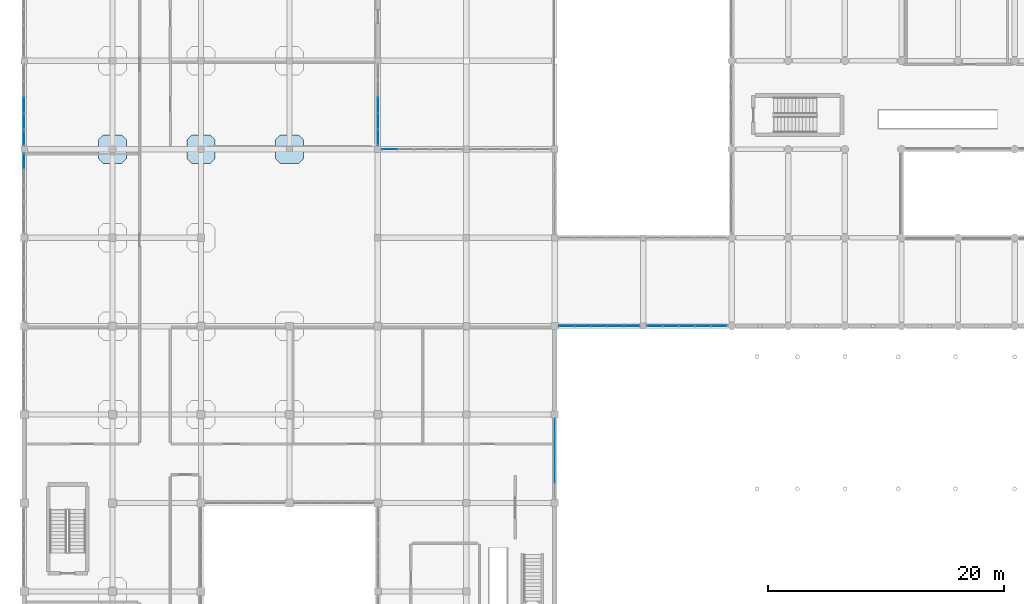
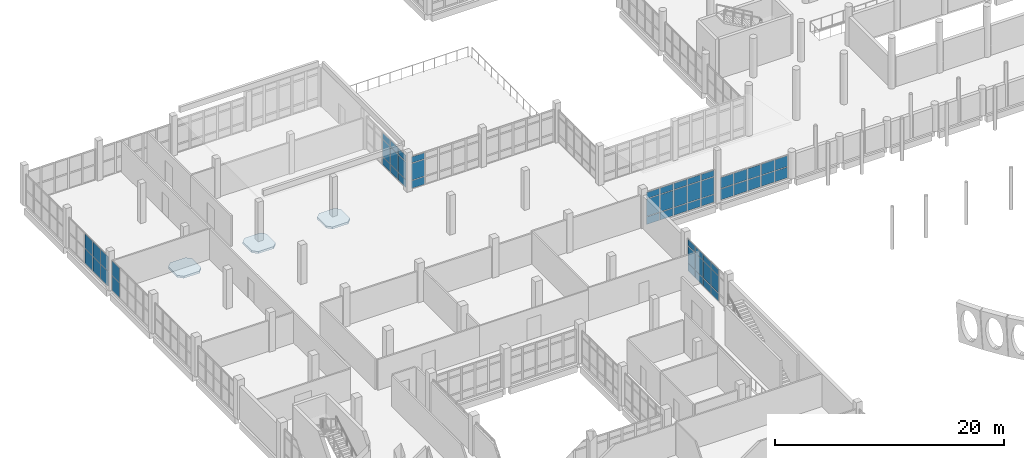
# One storey, part 124 of 164: 57 plates, 3 slabs, 7 elements without a shape of their own.
"""IFC4 building model written with IfcOpenShell, lengths in metres."""

from ifc_helpers import new_model, si_unit, direction, frame, origin, origin_2d, place, context, subcontext, project, spatial, polyline, rectangle, outline, extrude, material, layer, layer_set, type_object, element, aggregate, save


model = new_model("IFC4")

# Units and contexts
model_context = context("Model", 3, precision=1e-05, world=origin(), true_north=direction((0.0, 1.0)))
body_context = subcontext(model_context, "Body", "Model", "MODEL_VIEW")
ifc_project = project(units=[si_unit("LENGTHUNIT", "METRE"), si_unit("AREAUNIT", "SQUARE_METRE"), si_unit("VOLUMEUNIT", "CUBIC_METRE"), si_unit("PLANEANGLEUNIT", "RADIAN"), si_unit("MASSUNIT", "GRAM", prefix="KILO")], contexts=[model_context])

# Site, building, storey
site_placement = place(None, origin())
site = spatial("IfcSite", under=ifc_project, at=site_placement, CompositionType="ELEMENT")
building_placement = place(site_placement, origin())
building = spatial("IfcBuilding", under=site, at=building_placement, Name="Mawjan Specialist Oncology Clinic", CompositionType="ELEMENT")
storey_placement = place(building_placement, frame((0.0, 0.0, 5.0)))
storey = spatial("IfcBuildingStorey", under=building, at=storey_placement, Name="L01", CompositionType="ELEMENT", Elevation=5.0)

# Curtain wall, plates
ifc_material_1 = material(Name="Unitised spectrally selective aluminium curtain wall", Category="aluminium")
ifc_layer_1 = layer(ifc_material_1, 0.179931640625, Name="Unitised spectrally selective aluminium curtain wall", Category="aluminium")
ifc_layer_set_1 = layer_set([ifc_layer_1], Name="Unitised spectrally selective aluminium curtain wall")
curtain_wall_type_1 = type_object("IfcCurtainWallType", Name="CW-70", PredefinedType="NOTDEFINED", material=ifc_layer_set_1)
curtain_wall_1_placement = place(storey_placement, origin())
curtain_wall_1 = element("IfcCurtainWall", 1, at=curtain_wall_1_placement, inside=storey, type_object=curtain_wall_type_1, Name="L01 Unitised Curtain Wall CW-L01-138", PredefinedType="NOTDEFINED")
ifc_material_2 = material(Name="Spectrally selective double low-E glazing", Category="glass")
ifc_layer_2 = layer(ifc_material_2, 0.031982421875, Name="Spectrally selective double low-E glazing", Category="glass")
ifc_layer_set_2 = layer_set([ifc_layer_2], Name="Spectrally selective double low-E glazing")
plate_type = type_object("IfcPlateType", Name="CW-P32", PredefinedType="CURTAIN_PANEL", material=ifc_layer_set_2)
plate_1_placement = place(storey_placement, frame((58.9501953125, 45.800048828125, 0.06494140625), z_axis=(0.0, 0.0, 1.0), x_axis=(-1.0, 0.0, 0.0)))
plate_1 = element("IfcPlate", 2, at=plate_1_placement, type_object=plate_type, Name="CW-70 panel 1.1", PredefinedType="CURTAIN_PANEL", context=body_context, shape_type="SweptSolid", body=[
    extrude(rectangle(XDim=1.279541015625, YDim=0.031982421875, at=origin_2d()), origin(), (0.0, 0.0, 1.0), 1.152587890625),
])
plate_2_placement = place(storey_placement, frame((58.9501953125, 45.800048828125, 1.2822265625), z_axis=(0.0, 0.0, 1.0), x_axis=(-1.0, 0.0, 0.0)))
plate_2 = element("IfcPlate", 3, at=plate_2_placement, type_object=plate_type, Name="CW-70 panel 1.2", PredefinedType="CURTAIN_PANEL", context=body_context, shape_type="SweptSolid", body=[
    extrude(rectangle(XDim=1.279541015625, YDim=0.031982421875, at=origin_2d()), origin(), (0.0, 0.0, 1.0), 1.152587890625),
])
plate_3_placement = place(storey_placement, frame((57.589599609375, 45.800048828125, 0.06494140625), z_axis=(0.0, 0.0, 1.0), x_axis=(-1.0, 0.0, 0.0)))
plate_3 = element("IfcPlate", 4, at=plate_3_placement, type_object=plate_type, Name="CW-70 panel 2.1", PredefinedType="CURTAIN_PANEL", context=body_context, shape_type="SweptSolid", body=[
    extrude(rectangle(XDim=1.31201171875, YDim=0.031982421875, at=origin_2d()), origin(), (0.0, 0.0, 1.0), 1.152587890625),
])
plate_4_placement = place(storey_placement, frame((57.589599609375, 45.800048828125, 1.2822265625), z_axis=(0.0, 0.0, 1.0), x_axis=(-1.0, 0.0, 0.0)))
plate_4 = element("IfcPlate", 5, at=plate_4_placement, type_object=plate_type, Name="CW-70 panel 2.2", PredefinedType="CURTAIN_PANEL", context=body_context, shape_type="SweptSolid", body=[
    extrude(rectangle(XDim=1.31201171875, YDim=0.031982421875, at=origin_2d()), origin(), (0.0, 0.0, 1.0), 1.152587890625),
])
plate_5_placement = place(storey_placement, frame((56.21240234375, 45.800048828125, 0.06494140625), z_axis=(0.0, 0.0, 1.0), x_axis=(-1.0, 0.0, 0.0)))
plate_5 = element("IfcPlate", 6, at=plate_5_placement, type_object=plate_type, Name="CW-70 panel 3.1", PredefinedType="CURTAIN_PANEL", context=body_context, shape_type="SweptSolid", body=[
    extrude(rectangle(XDim=1.31201171875, YDim=0.031982421875, at=origin_2d()), origin(), (0.0, 0.0, 1.0), 1.152587890625),
])
plate_6_placement = place(storey_placement, frame((56.21240234375, 45.800048828125, 1.2822265625), z_axis=(0.0, 0.0, 1.0), x_axis=(-1.0, 0.0, 0.0)))
plate_6 = element("IfcPlate", 7, at=plate_6_placement, type_object=plate_type, Name="CW-70 panel 3.2", PredefinedType="CURTAIN_PANEL", context=body_context, shape_type="SweptSolid", body=[
    extrude(rectangle(XDim=1.31201171875, YDim=0.031982421875, at=origin_2d()), origin(), (0.0, 0.0, 1.0), 1.152587890625),
])
plate_7_placement = place(storey_placement, frame((54.83544921875, 45.800048828125, 0.06494140625), z_axis=(0.0, 0.0, 1.0), x_axis=(-1.0, 0.0, 0.0)))
plate_7 = element("IfcPlate", 8, at=plate_7_placement, type_object=plate_type, Name="CW-70 panel 4.1", PredefinedType="CURTAIN_PANEL", context=body_context, shape_type="SweptSolid", body=[
    extrude(rectangle(XDim=1.31201171875, YDim=0.031982421875, at=origin_2d()), origin(), (0.0, 0.0, 1.0), 1.152587890625),
])
plate_8_placement = place(storey_placement, frame((54.83544921875, 45.800048828125, 1.2822265625), z_axis=(0.0, 0.0, 1.0), x_axis=(-1.0, 0.0, 0.0)))
plate_8 = element("IfcPlate", 9, at=plate_8_placement, type_object=plate_type, Name="CW-70 panel 4.2", PredefinedType="CURTAIN_PANEL", context=body_context, shape_type="SweptSolid", body=[
    extrude(rectangle(XDim=1.31201171875, YDim=0.031982421875, at=origin_2d()), origin(), (0.0, 0.0, 1.0), 1.152587890625),
])
plate_9_placement = place(storey_placement, frame((53.474853515625, 45.800048828125, 0.06494140625), z_axis=(0.0, 0.0, 1.0), x_axis=(-1.0, 0.0, 0.0)))
plate_9 = element("IfcPlate", 10, at=plate_9_placement, type_object=plate_type, Name="CW-70 panel 5.1", PredefinedType="CURTAIN_PANEL", context=body_context, shape_type="SweptSolid", body=[
    extrude(rectangle(XDim=1.279541015625, YDim=0.031982421875, at=origin_2d()), origin(), (0.0, 0.0, 1.0), 1.152587890625),
])
plate_10_placement = place(storey_placement, frame((53.474853515625, 45.800048828125, 1.2822265625), z_axis=(0.0, 0.0, 1.0), x_axis=(-1.0, 0.0, 0.0)))
plate_10 = element("IfcPlate", 11, at=plate_10_placement, type_object=plate_type, Name="CW-70 panel 5.2", PredefinedType="CURTAIN_PANEL", context=body_context, shape_type="SweptSolid", body=[
    extrude(rectangle(XDim=1.279541015625, YDim=0.031982421875, at=origin_2d()), origin(), (0.0, 0.0, 1.0), 1.152587890625),
])
aggregate(curtain_wall_1, [plate_1, plate_2, plate_3, plate_4, plate_5, plate_6, plate_7, plate_8, plate_9, plate_10])

ifc_material_3 = material(Name="Unitised spectrally selective aluminium curtain wall", Category="aluminium")
ifc_layer_3 = layer(ifc_material_3, 0.179931640625, Name="Unitised spectrally selective aluminium curtain wall", Category="aluminium")
ifc_layer_set_3 = layer_set([ifc_layer_3], Name="Unitised spectrally selective aluminium curtain wall")
curtain_wall_type_2 = type_object("IfcCurtainWallType", Name="CW-71", PredefinedType="NOTDEFINED", material=ifc_layer_set_3)
curtain_wall_2_placement = place(storey_placement, origin())
curtain_wall_2 = element("IfcCurtainWall", 12, at=curtain_wall_2_placement, inside=storey, type_object=curtain_wall_type_2, Name="L01 Unitised Curtain Wall CW-L01-139", PredefinedType="NOTDEFINED")
plate_11_placement = place(storey_placement, frame((51.522705078125, 45.800048828125, 0.06494140625), z_axis=(0.0, 0.0, 1.0), x_axis=(-1.0, 0.0, 0.0)))
plate_11 = element("IfcPlate", 13, at=plate_11_placement, type_object=plate_type, Name="CW-71 panel 1.1", PredefinedType="CURTAIN_PANEL", context=body_context, shape_type="SweptSolid", body=[
    extrude(rectangle(XDim=1.284423828125, YDim=0.031982421875, at=origin_2d()), origin(), (0.0, 0.0, 1.0), 0.802490234375),
])
plate_12_placement = place(storey_placement, frame((51.522705078125, 45.800048828125, 0.9326171875), z_axis=(0.0, 0.0, 1.0), x_axis=(-1.0, 0.0, 0.0)))
plate_12 = element("IfcPlate", 14, at=plate_12_placement, type_object=plate_type, Name="CW-71 panel 1.2", PredefinedType="CURTAIN_PANEL", context=body_context, shape_type="SweptSolid", body=[
    extrude(rectangle(XDim=1.284423828125, YDim=0.031982421875, at=origin_2d()), origin(), (0.0, 0.0, 1.0), 1.820068359375),
])
plate_13_placement = place(storey_placement, frame((51.522705078125, 45.800048828125, 2.8173828125), z_axis=(0.0, 0.0, 1.0), x_axis=(-1.0, 0.0, 0.0)))
plate_13 = element("IfcPlate", 15, at=plate_13_placement, type_object=plate_type, Name="CW-71 panel 1.3", PredefinedType="CURTAIN_PANEL", context=body_context, shape_type="SweptSolid", body=[
    extrude(rectangle(XDim=1.284423828125, YDim=0.031982421875, at=origin_2d()), origin(), (0.0, 0.0, 1.0), 0.652587890625),
])
plate_14_placement = place(storey_placement, frame((50.156982421875, 45.800048828125, 0.06494140625), z_axis=(0.0, 0.0, 1.0), x_axis=(-1.0, 0.0, 0.0)))
plate_14 = element("IfcPlate", 16, at=plate_14_placement, type_object=plate_type, Name="CW-71 panel 2.1", PredefinedType="CURTAIN_PANEL", context=body_context, shape_type="SweptSolid", body=[
    extrude(rectangle(XDim=1.31689453125, YDim=0.031982421875, at=origin_2d()), origin(), (0.0, 0.0, 1.0), 0.802490234375),
])
plate_15_placement = place(storey_placement, frame((50.156982421875, 45.800048828125, 0.9326171875), z_axis=(0.0, 0.0, 1.0), x_axis=(-1.0, 0.0, 0.0)))
plate_15 = element("IfcPlate", 17, at=plate_15_placement, type_object=plate_type, Name="CW-71 panel 2.2", PredefinedType="CURTAIN_PANEL", context=body_context, shape_type="SweptSolid", body=[
    extrude(rectangle(XDim=1.31689453125, YDim=0.031982421875, at=origin_2d()), origin(), (0.0, 0.0, 1.0), 1.820068359375),
])
plate_16_placement = place(storey_placement, frame((50.156982421875, 45.800048828125, 2.8173828125), z_axis=(0.0, 0.0, 1.0), x_axis=(-1.0, 0.0, 0.0)))
plate_16 = element("IfcPlate", 18, at=plate_16_placement, type_object=plate_type, Name="CW-71 panel 2.3", PredefinedType="CURTAIN_PANEL", context=body_context, shape_type="SweptSolid", body=[
    extrude(rectangle(XDim=1.31689453125, YDim=0.031982421875, at=origin_2d()), origin(), (0.0, 0.0, 1.0), 0.652587890625),
])
plate_17_placement = place(storey_placement, frame((48.77490234375, 45.800048828125, 0.06494140625), z_axis=(0.0, 0.0, 1.0), x_axis=(-1.0, 0.0, 0.0)))
plate_17 = element("IfcPlate", 19, at=plate_17_placement, type_object=plate_type, Name="CW-71 panel 3.1", PredefinedType="CURTAIN_PANEL", context=body_context, shape_type="SweptSolid", body=[
    extrude(rectangle(XDim=1.31689453125, YDim=0.031982421875, at=origin_2d()), origin(), (0.0, 0.0, 1.0), 0.802490234375),
])
plate_18_placement = place(storey_placement, frame((48.77490234375, 45.800048828125, 0.9326171875), z_axis=(0.0, 0.0, 1.0), x_axis=(-1.0, 0.0, 0.0)))
plate_18 = element("IfcPlate", 20, at=plate_18_placement, type_object=plate_type, Name="CW-71 panel 3.2", PredefinedType="CURTAIN_PANEL", context=body_context, shape_type="SweptSolid", body=[
    extrude(rectangle(XDim=1.31689453125, YDim=0.031982421875, at=origin_2d()), origin(), (0.0, 0.0, 1.0), 1.820068359375),
])
plate_19_placement = place(storey_placement, frame((48.77490234375, 45.800048828125, 2.8173828125), z_axis=(0.0, 0.0, 1.0), x_axis=(-1.0, 0.0, 0.0)))
plate_19 = element("IfcPlate", 21, at=plate_19_placement, type_object=plate_type, Name="CW-71 panel 3.3", PredefinedType="CURTAIN_PANEL", context=body_context, shape_type="SweptSolid", body=[
    extrude(rectangle(XDim=1.31689453125, YDim=0.031982421875, at=origin_2d()), origin(), (0.0, 0.0, 1.0), 0.652587890625),
])
plate_20_placement = place(storey_placement, frame((47.39306640625, 45.800048828125, 0.06494140625), z_axis=(0.0, 0.0, 1.0), x_axis=(-1.0, 0.0, 0.0)))
plate_20 = element("IfcPlate", 22, at=plate_20_placement, type_object=plate_type, Name="CW-71 panel 4.1", PredefinedType="CURTAIN_PANEL", context=body_context, shape_type="SweptSolid", body=[
    extrude(rectangle(XDim=1.31689453125, YDim=0.031982421875, at=origin_2d()), origin(), (0.0, 0.0, 1.0), 0.802490234375),
])
plate_21_placement = place(storey_placement, frame((47.39306640625, 45.800048828125, 0.9326171875), z_axis=(0.0, 0.0, 1.0), x_axis=(-1.0, 0.0, 0.0)))
plate_21 = element("IfcPlate", 23, at=plate_21_placement, type_object=plate_type, Name="CW-71 panel 4.2", PredefinedType="CURTAIN_PANEL", context=body_context, shape_type="SweptSolid", body=[
    extrude(rectangle(XDim=1.31689453125, YDim=0.031982421875, at=origin_2d()), origin(), (0.0, 0.0, 1.0), 1.820068359375),
])
plate_22_placement = place(storey_placement, frame((47.39306640625, 45.800048828125, 2.8173828125), z_axis=(0.0, 0.0, 1.0), x_axis=(-1.0, 0.0, 0.0)))
plate_22 = element("IfcPlate", 24, at=plate_22_placement, type_object=plate_type, Name="CW-71 panel 4.3", PredefinedType="CURTAIN_PANEL", context=body_context, shape_type="SweptSolid", body=[
    extrude(rectangle(XDim=1.31689453125, YDim=0.031982421875, at=origin_2d()), origin(), (0.0, 0.0, 1.0), 0.652587890625),
])
plate_23_placement = place(storey_placement, frame((46.02734375, 45.800048828125, 0.06494140625), z_axis=(0.0, 0.0, 1.0), x_axis=(-1.0, 0.0, 0.0)))
plate_23 = element("IfcPlate", 25, at=plate_23_placement, type_object=plate_type, Name="CW-71 panel 5.1", PredefinedType="CURTAIN_PANEL", context=body_context, shape_type="SweptSolid", body=[
    extrude(rectangle(XDim=1.284423828125, YDim=0.031982421875, at=origin_2d()), origin(), (0.0, 0.0, 1.0), 0.802490234375),
])
plate_24_placement = place(storey_placement, frame((46.02734375, 45.800048828125, 0.9326171875), z_axis=(0.0, 0.0, 1.0), x_axis=(-1.0, 0.0, 0.0)))
plate_24 = element("IfcPlate", 26, at=plate_24_placement, type_object=plate_type, Name="CW-71 panel 5.2", PredefinedType="CURTAIN_PANEL", context=body_context, shape_type="SweptSolid", body=[
    extrude(rectangle(XDim=1.284423828125, YDim=0.031982421875, at=origin_2d()), origin(), (0.0, 0.0, 1.0), 1.820068359375),
])
plate_25_placement = place(storey_placement, frame((46.02734375, 45.800048828125, 2.8173828125), z_axis=(0.0, 0.0, 1.0), x_axis=(-1.0, 0.0, 0.0)))
plate_25 = element("IfcPlate", 27, at=plate_25_placement, type_object=plate_type, Name="CW-71 panel 5.3", PredefinedType="CURTAIN_PANEL", context=body_context, shape_type="SweptSolid", body=[
    extrude(rectangle(XDim=1.284423828125, YDim=0.031982421875, at=origin_2d()), origin(), (0.0, 0.0, 1.0), 0.652587890625),
])
aggregate(curtain_wall_2, [plate_11, plate_12, plate_13, plate_14, plate_15, plate_16, plate_17, plate_18, plate_19, plate_20, plate_21, plate_22, plate_23, plate_24, plate_25])

ifc_material_4 = material(Name="Unitised spectrally selective aluminium curtain wall", Category="aluminium")
ifc_layer_4 = layer(ifc_material_4, 0.179931640625, Name="Unitised spectrally selective aluminium curtain wall", Category="aluminium")
ifc_layer_set_4 = layer_set([ifc_layer_4], Name="Unitised spectrally selective aluminium curtain wall")
curtain_wall_type_3 = type_object("IfcCurtainWallType", Name="CW-60", PredefinedType="NOTDEFINED", material=ifc_layer_set_4)
curtain_wall_3_placement = place(storey_placement, origin())
curtain_wall_3 = element("IfcCurtainWall", 28, at=curtain_wall_3_placement, inside=storey, type_object=curtain_wall_type_3, Name="L01 Unitised Curtain Wall CW-L01-140", PredefinedType="NOTDEFINED")
plate_26_placement = place(storey_placement, frame((45.0, 37.27783203125, 0.06494140625), z_axis=(0.0, 0.0, 1.0), x_axis=(0.0, -1.0, 0.0)))
plate_26 = element("IfcPlate", 29, at=plate_26_placement, type_object=plate_type, Name="CW-60 panel 1.1", PredefinedType="CURTAIN_PANEL", context=body_context, shape_type="SweptSolid", body=[
    extrude(rectangle(XDim=1.2744140625, YDim=0.031982421875, at=origin_2d()), origin(), (0.0, 0.0, 1.0), 0.802490234375),
])
plate_27_placement = place(storey_placement, frame((45.0, 37.27783203125, 0.932373046875), z_axis=(0.0, 0.0, 1.0), x_axis=(0.0, -1.0, 0.0)))
plate_27 = element("IfcPlate", 30, at=plate_27_placement, type_object=plate_type, Name="CW-60 panel 1.2", PredefinedType="CURTAIN_PANEL", context=body_context, shape_type="SweptSolid", body=[
    extrude(rectangle(XDim=1.2744140625, YDim=0.031982421875, at=origin_2d()), origin(), (0.0, 0.0, 1.0), 1.77001953125),
])
plate_28_placement = place(storey_placement, frame((45.0, 37.27783203125, 2.767578125), z_axis=(0.0, 0.0, 1.0), x_axis=(0.0, -1.0, 0.0)))
plate_28 = element("IfcPlate", 31, at=plate_28_placement, type_object=plate_type, Name="CW-60 panel 1.3", PredefinedType="CURTAIN_PANEL", context=body_context, shape_type="SweptSolid", body=[
    extrude(rectangle(XDim=1.2744140625, YDim=0.031982421875, at=origin_2d()), origin(), (0.0, 0.0, 1.0), 0.652587890625),
])
plate_29_placement = place(storey_placement, frame((45.0, 35.922119140625, 0.06494140625), z_axis=(0.0, 0.0, 1.0), x_axis=(0.0, -1.0, 0.0)))
plate_29 = element("IfcPlate", 32, at=plate_29_placement, type_object=plate_type, Name="CW-60 panel 2.1", PredefinedType="CURTAIN_PANEL", context=body_context, shape_type="SweptSolid", body=[
    extrude(rectangle(XDim=1.306884765625, YDim=0.031982421875, at=origin_2d()), origin(), (0.0, 0.0, 1.0), 0.802490234375),
])
plate_30_placement = place(storey_placement, frame((45.0, 35.922119140625, 0.932373046875), z_axis=(0.0, 0.0, 1.0), x_axis=(0.0, -1.0, 0.0)))
plate_30 = element("IfcPlate", 33, at=plate_30_placement, type_object=plate_type, Name="CW-60 panel 2.2", PredefinedType="CURTAIN_PANEL", context=body_context, shape_type="SweptSolid", body=[
    extrude(rectangle(XDim=1.306884765625, YDim=0.031982421875, at=origin_2d()), origin(), (0.0, 0.0, 1.0), 1.77001953125),
])
plate_31_placement = place(storey_placement, frame((45.0, 35.922119140625, 2.767578125), z_axis=(0.0, 0.0, 1.0), x_axis=(0.0, -1.0, 0.0)))
plate_31 = element("IfcPlate", 34, at=plate_31_placement, type_object=plate_type, Name="CW-60 panel 2.3", PredefinedType="CURTAIN_PANEL", context=body_context, shape_type="SweptSolid", body=[
    extrude(rectangle(XDim=1.306884765625, YDim=0.031982421875, at=origin_2d()), origin(), (0.0, 0.0, 1.0), 0.652587890625),
])
plate_32_placement = place(storey_placement, frame((45.0, 34.550048828125, 0.06494140625), z_axis=(0.0, 0.0, 1.0), x_axis=(0.0, -1.0, 0.0)))
plate_32 = element("IfcPlate", 35, at=plate_32_placement, type_object=plate_type, Name="CW-60 panel 3.1", PredefinedType="CURTAIN_PANEL", context=body_context, shape_type="SweptSolid", body=[
    extrude(rectangle(XDim=1.306884765625, YDim=0.031982421875, at=origin_2d()), origin(), (0.0, 0.0, 1.0), 0.802490234375),
])
plate_33_placement = place(storey_placement, frame((45.0, 34.550048828125, 0.932373046875), z_axis=(0.0, 0.0, 1.0), x_axis=(0.0, -1.0, 0.0)))
plate_33 = element("IfcPlate", 36, at=plate_33_placement, type_object=plate_type, Name="CW-60 panel 3.2", PredefinedType="CURTAIN_PANEL", context=body_context, shape_type="SweptSolid", body=[
    extrude(rectangle(XDim=1.306884765625, YDim=0.031982421875, at=origin_2d()), origin(), (0.0, 0.0, 1.0), 1.77001953125),
])
plate_34_placement = place(storey_placement, frame((45.0, 34.550048828125, 2.767578125), z_axis=(0.0, 0.0, 1.0), x_axis=(0.0, -1.0, 0.0)))
plate_34 = element("IfcPlate", 37, at=plate_34_placement, type_object=plate_type, Name="CW-60 panel 3.3", PredefinedType="CURTAIN_PANEL", context=body_context, shape_type="SweptSolid", body=[
    extrude(rectangle(XDim=1.306884765625, YDim=0.031982421875, at=origin_2d()), origin(), (0.0, 0.0, 1.0), 0.652587890625),
])
plate_35_placement = place(storey_placement, frame((45.0, 33.177978515625, 0.06494140625), z_axis=(0.0, 0.0, 1.0), x_axis=(0.0, -1.0, 0.0)))
plate_35 = element("IfcPlate", 38, at=plate_35_placement, type_object=plate_type, Name="CW-60 panel 4.1", PredefinedType="CURTAIN_PANEL", context=body_context, shape_type="SweptSolid", body=[
    extrude(rectangle(XDim=1.306884765625, YDim=0.031982421875, at=origin_2d()), origin(), (0.0, 0.0, 1.0), 0.802490234375),
])
plate_36_placement = place(storey_placement, frame((45.0, 33.177978515625, 0.932373046875), z_axis=(0.0, 0.0, 1.0), x_axis=(0.0, -1.0, 0.0)))
plate_36 = element("IfcPlate", 39, at=plate_36_placement, type_object=plate_type, Name="CW-60 panel 4.2", PredefinedType="CURTAIN_PANEL", context=body_context, shape_type="SweptSolid", body=[
    extrude(rectangle(XDim=1.306884765625, YDim=0.031982421875, at=origin_2d()), origin(), (0.0, 0.0, 1.0), 1.77001953125),
])
plate_37_placement = place(storey_placement, frame((45.0, 33.177978515625, 2.767578125), z_axis=(0.0, 0.0, 1.0), x_axis=(0.0, -1.0, 0.0)))
plate_37 = element("IfcPlate", 40, at=plate_37_placement, type_object=plate_type, Name="CW-60 panel 4.3", PredefinedType="CURTAIN_PANEL", context=body_context, shape_type="SweptSolid", body=[
    extrude(rectangle(XDim=1.306884765625, YDim=0.031982421875, at=origin_2d()), origin(), (0.0, 0.0, 1.0), 0.652587890625),
])
aggregate(curtain_wall_3, [plate_26, plate_27, plate_28, plate_29, plate_30, plate_31, plate_32, plate_33, plate_34, plate_35, plate_36, plate_37])

ifc_material_5 = material(Name="Unitised spectrally selective aluminium curtain wall", Category="aluminium")
ifc_layer_5 = layer(ifc_material_5, 0.179931640625, Name="Unitised spectrally selective aluminium curtain wall", Category="aluminium")
ifc_layer_set_5 = layer_set([ifc_layer_5], Name="Unitised spectrally selective aluminium curtain wall")
curtain_wall_type_4 = type_object("IfcCurtainWallType", Name="CW-76", PredefinedType="NOTDEFINED", material=ifc_layer_set_5)
curtain_wall_4_placement = place(storey_placement, origin())
curtain_wall_4 = element("IfcCurtainWall", 41, at=curtain_wall_4_placement, inside=storey, type_object=curtain_wall_type_4, Name="L01 Unitised Curtain Wall CW-L01-149", PredefinedType="NOTDEFINED")
plate_38_placement = place(storey_placement, frame((0.0, 59.80029296875, 0.06494140625), z_axis=(0.0, 0.0, 1.0), x_axis=(0.0, 1.0, 0.0)))
plate_38 = element("IfcPlate", 42, at=plate_38_placement, type_object=plate_type, Name="CW-76 panel 5.1", PredefinedType="CURTAIN_PANEL", context=body_context, shape_type="SweptSolid", body=[
    extrude(rectangle(XDim=1.279541015625, YDim=0.031982421875, at=origin_2d()), origin(), (0.0, 0.0, 1.0), 1.534912109375),
])
plate_39_placement = place(storey_placement, frame((0.0, 59.80029296875, 1.6650390625), z_axis=(0.0, 0.0, 1.0), x_axis=(0.0, 1.0, 0.0)))
plate_39 = element("IfcPlate", 43, at=plate_39_placement, type_object=plate_type, Name="CW-76 panel 5.2", PredefinedType="CURTAIN_PANEL", context=body_context, shape_type="SweptSolid", body=[
    extrude(rectangle(XDim=1.279541015625, YDim=0.031982421875, at=origin_2d()), origin(), (0.0, 0.0, 1.0), 1.534912109375),
])
aggregate(curtain_wall_4, [plate_38, plate_39])

ifc_material_6 = material(Name="Unitised spectrally selective aluminium curtain wall", Category="aluminium")
ifc_layer_6 = layer(ifc_material_6, 0.179931640625, Name="Unitised spectrally selective aluminium curtain wall", Category="aluminium")
ifc_layer_set_6 = layer_set([ifc_layer_6], Name="Unitised spectrally selective aluminium curtain wall")
curtain_wall_type_5 = type_object("IfcCurtainWallType", Name="CW-77", PredefinedType="NOTDEFINED", material=ifc_layer_set_6)
curtain_wall_5_placement = place(storey_placement, origin())
curtain_wall_5 = element("IfcCurtainWall", 44, at=curtain_wall_5_placement, inside=storey, type_object=curtain_wall_type_5, Name="L01 Unitised Curtain Wall CW-L01-150", PredefinedType="NOTDEFINED")
plate_40_placement = place(storey_placement, frame((0.0, 61.80224609375, 0.06494140625), z_axis=(0.0, 0.0, 1.0), x_axis=(0.0, 1.0, 0.0)))
plate_40 = element("IfcPlate", 45, at=plate_40_placement, type_object=plate_type, Name="CW-77 panel 1.1", PredefinedType="CURTAIN_PANEL", context=body_context, shape_type="SweptSolid", body=[
    extrude(rectangle(XDim=1.284423828125, YDim=0.031982421875, at=origin_2d()), origin(), (0.0, 0.0, 1.0), 1.534912109375),
])
plate_41_placement = place(storey_placement, frame((0.0, 61.80224609375, 1.6650390625), z_axis=(0.0, 0.0, 1.0), x_axis=(0.0, 1.0, 0.0)))
plate_41 = element("IfcPlate", 46, at=plate_41_placement, type_object=plate_type, Name="CW-77 panel 1.2", PredefinedType="CURTAIN_PANEL", context=body_context, shape_type="SweptSolid", body=[
    extrude(rectangle(XDim=1.284423828125, YDim=0.031982421875, at=origin_2d()), origin(), (0.0, 0.0, 1.0), 1.534912109375),
])
plate_42_placement = place(storey_placement, frame((0.0, 63.16796875, 0.06494140625), z_axis=(0.0, 0.0, 1.0), x_axis=(0.0, 1.0, 0.0)))
plate_42 = element("IfcPlate", 47, at=plate_42_placement, type_object=plate_type, Name="CW-77 panel 2.1", PredefinedType="CURTAIN_PANEL", context=body_context, shape_type="SweptSolid", body=[
    extrude(rectangle(XDim=1.31689453125, YDim=0.031982421875, at=origin_2d()), origin(), (0.0, 0.0, 1.0), 1.534912109375),
])
plate_43_placement = place(storey_placement, frame((0.0, 63.16796875, 1.6650390625), z_axis=(0.0, 0.0, 1.0), x_axis=(0.0, 1.0, 0.0)))
plate_43 = element("IfcPlate", 48, at=plate_43_placement, type_object=plate_type, Name="CW-77 panel 2.2", PredefinedType="CURTAIN_PANEL", context=body_context, shape_type="SweptSolid", body=[
    extrude(rectangle(XDim=1.31689453125, YDim=0.031982421875, at=origin_2d()), origin(), (0.0, 0.0, 1.0), 1.534912109375),
])
plate_44_placement = place(storey_placement, frame((0.0, 64.550048828125, 0.06494140625), z_axis=(0.0, 0.0, 1.0), x_axis=(0.0, 1.0, 0.0)))
plate_44 = element("IfcPlate", 49, at=plate_44_placement, type_object=plate_type, Name="CW-77 panel 3.1", PredefinedType="CURTAIN_PANEL", context=body_context, shape_type="SweptSolid", body=[
    extrude(rectangle(XDim=1.31689453125, YDim=0.031982421875, at=origin_2d()), origin(), (0.0, 0.0, 1.0), 1.534912109375),
])
plate_45_placement = place(storey_placement, frame((0.0, 64.550048828125, 1.6650390625), z_axis=(0.0, 0.0, 1.0), x_axis=(0.0, 1.0, 0.0)))
plate_45 = element("IfcPlate", 50, at=plate_45_placement, type_object=plate_type, Name="CW-77 panel 3.2", PredefinedType="CURTAIN_PANEL", context=body_context, shape_type="SweptSolid", body=[
    extrude(rectangle(XDim=1.31689453125, YDim=0.031982421875, at=origin_2d()), origin(), (0.0, 0.0, 1.0), 1.534912109375),
])
aggregate(curtain_wall_5, [plate_40, plate_41, plate_42, plate_43, plate_44, plate_45])

ifc_material_7 = material(Name="Unitised spectrally selective aluminium curtain wall", Category="aluminium")
ifc_layer_7 = layer(ifc_material_7, 0.179931640625, Name="Unitised spectrally selective aluminium curtain wall", Category="aluminium")
ifc_layer_set_7 = layer_set([ifc_layer_7], Name="Unitised spectrally selective aluminium curtain wall")
curtain_wall_type_6 = type_object("IfcCurtainWallType", Name="CW-53", PredefinedType="NOTDEFINED", material=ifc_layer_set_7)
curtain_wall_6_placement = place(storey_placement, origin())
curtain_wall_6 = element("IfcCurtainWall", 51, at=curtain_wall_6_placement, inside=storey, type_object=curtain_wall_type_6, Name="L01 Unitised Curtain Wall CW-L01-156", PredefinedType="NOTDEFINED")
plate_46_placement = place(storey_placement, frame((30.0, 64.5625, 0.06494140625), z_axis=(0.0, 0.0, 1.0), x_axis=(0.0, -1.0, 0.0)))
plate_46 = element("IfcPlate", 52, at=plate_46_placement, type_object=plate_type, Name="CW-53 panel 3.1", PredefinedType="CURTAIN_PANEL", context=body_context, shape_type="SweptSolid", body=[
    extrude(rectangle(XDim=1.322021484375, YDim=0.031982421875, at=origin_2d()), origin(), (0.0, 0.0, 1.0), 0.802490234375),
])
plate_47_placement = place(storey_placement, frame((30.0, 64.5625, 0.9326171875), z_axis=(0.0, 0.0, 1.0), x_axis=(0.0, -1.0, 0.0)))
plate_47 = element("IfcPlate", 53, at=plate_47_placement, type_object=plate_type, Name="CW-53 panel 3.2", PredefinedType="CURTAIN_PANEL", context=body_context, shape_type="SweptSolid", body=[
    extrude(rectangle(XDim=1.322021484375, YDim=0.031982421875, at=origin_2d()), origin(), (0.0, 0.0, 1.0), 1.820068359375),
])
plate_48_placement = place(storey_placement, frame((30.0, 64.5625, 2.8173828125), z_axis=(0.0, 0.0, 1.0), x_axis=(0.0, -1.0, 0.0)))
plate_48 = element("IfcPlate", 54, at=plate_48_placement, type_object=plate_type, Name="CW-53 panel 3.3", PredefinedType="CURTAIN_PANEL", context=body_context, shape_type="SweptSolid", body=[
    extrude(rectangle(XDim=1.322021484375, YDim=0.031982421875, at=origin_2d()), origin(), (0.0, 0.0, 1.0), 0.652587890625),
])
plate_49_placement = place(storey_placement, frame((30.0, 63.175537109375, 0.06494140625), z_axis=(0.0, 0.0, 1.0), x_axis=(0.0, -1.0, 0.0)))
plate_49 = element("IfcPlate", 55, at=plate_49_placement, type_object=plate_type, Name="CW-53 panel 4.1", PredefinedType="CURTAIN_PANEL", context=body_context, shape_type="SweptSolid", body=[
    extrude(rectangle(XDim=1.322021484375, YDim=0.031982421875, at=origin_2d()), origin(), (0.0, 0.0, 1.0), 0.802490234375),
])
plate_50_placement = place(storey_placement, frame((30.0, 63.175537109375, 0.9326171875), z_axis=(0.0, 0.0, 1.0), x_axis=(0.0, -1.0, 0.0)))
plate_50 = element("IfcPlate", 56, at=plate_50_placement, type_object=plate_type, Name="CW-53 panel 4.2", PredefinedType="CURTAIN_PANEL", context=body_context, shape_type="SweptSolid", body=[
    extrude(rectangle(XDim=1.322021484375, YDim=0.031982421875, at=origin_2d()), origin(), (0.0, 0.0, 1.0), 1.820068359375),
])
plate_51_placement = place(storey_placement, frame((30.0, 63.175537109375, 2.8173828125), z_axis=(0.0, 0.0, 1.0), x_axis=(0.0, -1.0, 0.0)))
plate_51 = element("IfcPlate", 57, at=plate_51_placement, type_object=plate_type, Name="CW-53 panel 4.3", PredefinedType="CURTAIN_PANEL", context=body_context, shape_type="SweptSolid", body=[
    extrude(rectangle(XDim=1.322021484375, YDim=0.031982421875, at=origin_2d()), origin(), (0.0, 0.0, 1.0), 0.652587890625),
])
plate_52_placement = place(storey_placement, frame((30.0, 61.8046875, 0.06494140625), z_axis=(0.0, 0.0, 1.0), x_axis=(0.0, -1.0, 0.0)))
plate_52 = element("IfcPlate", 58, at=plate_52_placement, type_object=plate_type, Name="CW-53 panel 5.1", PredefinedType="CURTAIN_PANEL", context=body_context, shape_type="SweptSolid", body=[
    extrude(rectangle(XDim=1.28955078125, YDim=0.031982421875, at=origin_2d()), origin(), (0.0, 0.0, 1.0), 0.802490234375),
])
plate_53_placement = place(storey_placement, frame((30.0, 61.8046875, 0.9326171875), z_axis=(0.0, 0.0, 1.0), x_axis=(0.0, -1.0, 0.0)))
plate_53 = element("IfcPlate", 59, at=plate_53_placement, type_object=plate_type, Name="CW-53 panel 5.2", PredefinedType="CURTAIN_PANEL", context=body_context, shape_type="SweptSolid", body=[
    extrude(rectangle(XDim=1.28955078125, YDim=0.031982421875, at=origin_2d()), origin(), (0.0, 0.0, 1.0), 1.820068359375),
])
plate_54_placement = place(storey_placement, frame((30.0, 61.8046875, 2.8173828125), z_axis=(0.0, 0.0, 1.0), x_axis=(0.0, -1.0, 0.0)))
plate_54 = element("IfcPlate", 60, at=plate_54_placement, type_object=plate_type, Name="CW-53 panel 5.3", PredefinedType="CURTAIN_PANEL", context=body_context, shape_type="SweptSolid", body=[
    extrude(rectangle(XDim=1.28955078125, YDim=0.031982421875, at=origin_2d()), origin(), (0.0, 0.0, 1.0), 0.652587890625),
])
aggregate(curtain_wall_6, [plate_46, plate_47, plate_48, plate_49, plate_50, plate_51, plate_52, plate_53, plate_54])

ifc_material_8 = material(Name="Unitised spectrally selective aluminium curtain wall", Category="aluminium")
ifc_layer_8 = layer(ifc_material_8, 0.179931640625, Name="Unitised spectrally selective aluminium curtain wall", Category="aluminium")
ifc_layer_set_8 = layer_set([ifc_layer_8], Name="Unitised spectrally selective aluminium curtain wall")
curtain_wall_type_7 = type_object("IfcCurtainWallType", Name="CW-52", PredefinedType="NOTDEFINED", material=ifc_layer_set_8)
curtain_wall_7_placement = place(storey_placement, origin())
curtain_wall_7 = element("IfcCurtainWall", 61, at=curtain_wall_7_placement, inside=storey, type_object=curtain_wall_type_7, Name="L01 Unitised Curtain Wall CW-L01-157", PredefinedType="NOTDEFINED")
plate_55_placement = place(storey_placement, frame((31.002197265625, 60.800048828125, 0.06494140625), z_axis=(0.0, 0.0, 1.0), x_axis=(1.0, 0.0, 0.0)))
plate_55 = element("IfcPlate", 62, at=plate_55_placement, type_object=plate_type, Name="CW-52 panel 1.1", PredefinedType="CURTAIN_PANEL", context=body_context, shape_type="SweptSolid", body=[
    extrude(rectangle(XDim=1.284423828125, YDim=0.031982421875, at=origin_2d()), origin(), (0.0, 0.0, 1.0), 0.802490234375),
])
plate_56_placement = place(storey_placement, frame((31.002197265625, 60.800048828125, 0.932373046875), z_axis=(0.0, 0.0, 1.0), x_axis=(1.0, 0.0, 0.0)))
plate_56 = element("IfcPlate", 63, at=plate_56_placement, type_object=plate_type, Name="CW-52 panel 1.2", PredefinedType="CURTAIN_PANEL", context=body_context, shape_type="SweptSolid", body=[
    extrude(rectangle(XDim=1.284423828125, YDim=0.031982421875, at=origin_2d()), origin(), (0.0, 0.0, 1.0), 1.77001953125),
])
plate_57_placement = place(storey_placement, frame((31.002197265625, 60.800048828125, 2.767578125), z_axis=(0.0, 0.0, 1.0), x_axis=(1.0, 0.0, 0.0)))
plate_57 = element("IfcPlate", 64, at=plate_57_placement, type_object=plate_type, Name="CW-52 panel 1.3", PredefinedType="CURTAIN_PANEL", context=body_context, shape_type="SweptSolid", body=[
    extrude(rectangle(XDim=1.284423828125, YDim=0.031982421875, at=origin_2d()), origin(), (0.0, 0.0, 1.0), 0.652587890625),
])
aggregate(curtain_wall_7, [plate_55, plate_56, plate_57])

# Slabs
ifc_material_9 = material(Name="Concrete C35/45", Category="concrete")
ifc_layer_9 = layer(ifc_material_9, 0.219970703125, Name="Concrete C35/45", Category="concrete")
ifc_layer_set_9 = layer_set([ifc_layer_9], Name="Concrete C35/45")
slab_type = type_object("IfcSlabType", Name="DP-220", PredefinedType="FLOOR", material=ifc_layer_set_9)
slab_1_placement = place(storey_placement, frame((0.0, 0.0, -0.52001953125)))
element("IfcSlab", 65, at=slab_1_placement, inside=storey, type_object=slab_type, Name="L01 Octagonal Column Drop Panel DP-L01-020", PredefinedType="FLOOR", context=body_context, shape_type="SweptSolid", body=[
    extrude(outline(polyline([(6.719970703125, 59.60009765625), (8.280029296875, 59.60009765625), (8.699951171875, 60.02001953125), (8.699951171875, 61.580078125), (8.280029296875, 62.0), (6.719970703125, 62.0), (6.300048828125, 61.580078125), (6.300048828125, 60.02001953125), (6.719970703125, 59.60009765625)])), origin(), (0.0, 0.0, 1.0), 0.219970703125),
])
slab_2_placement = place(storey_placement, frame((0.0, 0.0, -0.52001953125)))
element("IfcSlab", 66, at=slab_2_placement, inside=storey, type_object=slab_type, Name="L01 Octagonal Column Drop Panel DP-L01-035", PredefinedType="FLOOR", context=body_context, shape_type="SweptSolid", body=[
    extrude(outline(polyline([(14.219970703125, 59.60009765625), (15.780029296875, 59.60009765625), (16.199951171875, 60.02001953125), (16.199951171875, 61.580078125), (15.780029296875, 62.0), (14.219970703125, 62.0), (13.800048828125, 61.580078125), (13.800048828125, 60.02001953125), (14.219970703125, 59.60009765625)])), origin(), (0.0, 0.0, 1.0), 0.219970703125),
])
slab_3_placement = place(storey_placement, frame((0.0, 0.0, -0.52001953125)))
element("IfcSlab", 67, at=slab_3_placement, inside=storey, type_object=slab_type, Name="L01 Octagonal Column Drop Panel DP-L01-047", PredefinedType="FLOOR", context=body_context, shape_type="SweptSolid", body=[
    extrude(outline(polyline([(21.719970703125, 59.60009765625), (23.280029296875, 59.60009765625), (23.699951171875, 60.02001953125), (23.699951171875, 61.580078125), (23.280029296875, 62.0), (21.719970703125, 62.0), (21.300048828125, 61.580078125), (21.300048828125, 60.02001953125), (21.719970703125, 59.60009765625)])), origin(), (0.0, 0.0, 1.0), 0.219970703125),
])

save(model, "model.ifc")
